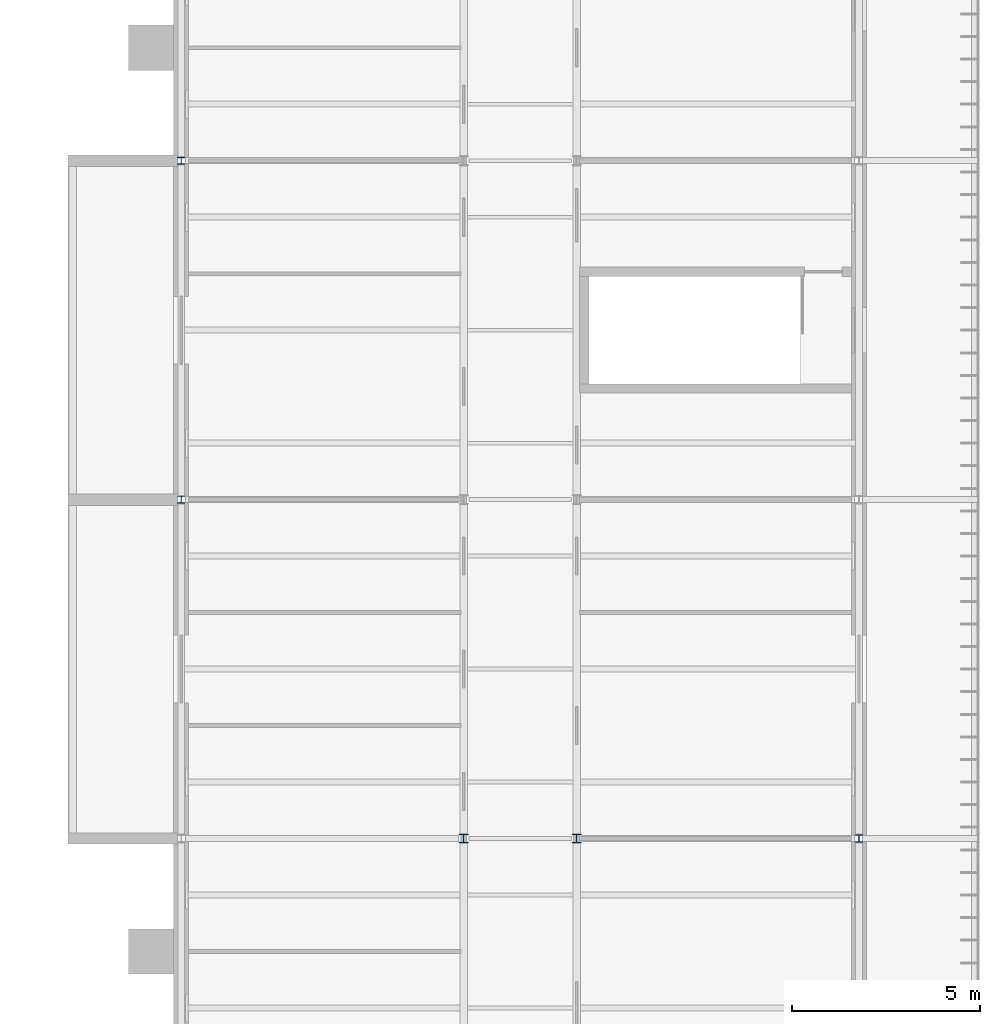
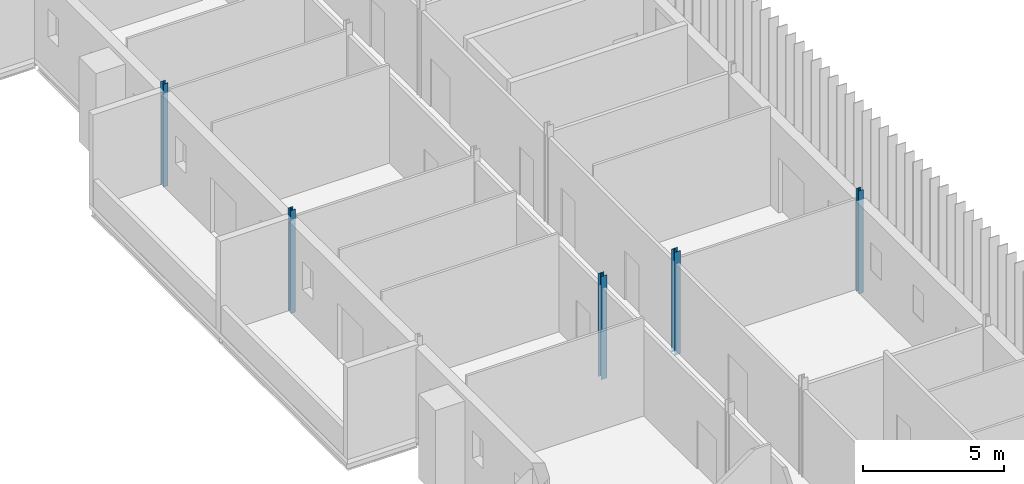
# One storey, part 18 of 131: 5 columns.
"""IFC4 building model written with IfcOpenShell, lengths in metres."""

import ifcopenshell
import ifcopenshell.guid

model = None  # the IFC model being written
_history = None  # IfcOwnerHistory: only IFC2X3 demands one
_inside = {}  # id of a spatial element -> (the spatial element, [elements in it])
_under = {}  # id of a project, library or spatial element -> (it, [spatial elements below it])
_declared = {}  # id of a project -> (the project, [libraries it declares])
_typed = {}  # id of a type object -> (the type object, [elements of that type])
_made_of = {}  # id of a material, layer set ... -> (it, [elements and type objects made of it])


def new_model(schema):
    """Start an empty IFC model of exactly this schema.

    Asked for "IFC4X3", IfcOpenShell would pick the latest addendum, in which some entities
    have other attributes; the version numbers below select the first issue.
    IFC2X3 requires an IfcOwnerHistory on every rooted entity: one is made here for all.
    """
    global model, _history
    if schema == "IFC4X3":
        model = ifcopenshell.file(schema_version=(4, 3, 0, 0))
    else:
        model = ifcopenshell.file(schema=schema)
    _inside.clear()
    _under.clear()
    _declared.clear()
    _typed.clear()
    _made_of.clear()
    _history = None
    if model.schema == "IFC2X3":
        org = make("IfcOrganization", Name="unknown")
        user = make(
            "IfcPersonAndOrganization",
            ThePerson=make("IfcPerson", FamilyName="unknown"),
            TheOrganization=org,
        )
        app = make(
            "IfcApplication",
            ApplicationDeveloper=org,
            Version="unknown",
            ApplicationFullName="unknown",
            ApplicationIdentifier="unknown",
        )
        _history = make(
            "IfcOwnerHistory",
            OwningUser=user,
            OwningApplication=app,
            ChangeAction="ADDED",
            CreationDate=0,
        )
    return model


def make(cls, **values):
    """One entity of the class cls with the attributes given. An attribute that is None is left unset."""
    return model.create_entity(
        cls, **{name: value for name, value in values.items() if value is not None}
    )


def rooted(cls, **values):
    """An entity with a GlobalId (a new one), such as an element, a storey or a relation."""
    return make(cls, GlobalId=ifcopenshell.guid.new(), OwnerHistory=_history, **values)


def si_unit(unit_type, name, prefix=None):
    """IfcSIUnit, for example si_unit("LENGTHUNIT", "METRE", prefix="MILLI")."""
    return make("IfcSIUnit", UnitType=unit_type, Prefix=prefix, Name=name)


def assignment(units):
    """IfcUnitAssignment: the units of a project."""
    return None if units is None else make("IfcUnitAssignment", Units=units)


def point(xyz):
    """IfcCartesianPoint."""
    return None if xyz is None else make("IfcCartesianPoint", Coordinates=xyz)


def direction(xyz):
    """IfcDirection."""
    return None if xyz is None else make("IfcDirection", DirectionRatios=xyz)


def frame(location, z_axis=None, x_axis=None):
    """IfcAxis2Placement3D, a coordinate frame: its origin and axes. An axis left out is left unset."""
    return make(
        "IfcAxis2Placement3D",
        Location=point(location),
        Axis=direction(z_axis),
        RefDirection=direction(x_axis),
    )


def frame_2d(location, x_axis=None):
    """IfcAxis2Placement2D, a coordinate frame in the plane: its origin and x axis."""
    return make(
        "IfcAxis2Placement2D", Location=point(location), RefDirection=direction(x_axis)
    )


def origin():
    """The frame at (0, 0, 0) with its axes left unset."""
    return frame((0.0, 0.0, 0.0))


def origin_2d():
    """The frame at (0, 0) in the plane with its x axis left unset."""
    return frame_2d((0.0, 0.0))


def place(relative_to, where):
    """IfcLocalPlacement: puts the frame where relative to a parent placement (None: the world)."""
    return make(
        "IfcLocalPlacement", PlacementRelTo=relative_to, RelativePlacement=where
    )


def context(
    kind, dimensions, precision=None, world=None, true_north=None, identifier=None
):
    """IfcGeometricRepresentationContext, for example the 3D "Model" context."""
    return make(
        "IfcGeometricRepresentationContext",
        ContextIdentifier=identifier,
        ContextType=kind,
        CoordinateSpaceDimension=dimensions,
        Precision=precision,
        WorldCoordinateSystem=world,
        TrueNorth=true_north,
    )


def subcontext(parent, identifier, kind, view, scale=None):
    """IfcGeometricRepresentationSubContext, for example "Body" below "Model"."""
    return make(
        "IfcGeometricRepresentationSubContext",
        ContextIdentifier=identifier,
        ContextType=kind,
        ParentContext=parent,
        TargetScale=scale,
        TargetView=view,
    )


def project(units=None, contexts=None):
    """IfcProject with its units and contexts."""
    return rooted(
        "IfcProject",
        Name="project",
        RepresentationContexts=contexts,
        UnitsInContext=assignment(units),
    )


def spatial(cls, under=None, at=None, **own):
    """A site, building, storey or space (cls), placed at a placement, below another one or the project."""
    s = rooted(cls, ObjectPlacement=at, **own)
    if under is not None:
        _under.setdefault(under.id(), (under, []))[1].append(s)
    return s


def profile(cls, at=None, kind="AREA", **sizes):
    """A parametric profile (cls). Its sizes go by their IFC names, for example OverallWidth=200.0."""
    return make(cls, ProfileType=kind, Position=at, **sizes)


def i_section(**sizes):
    """IfcIShapeProfileDef."""
    return profile("IfcIShapeProfileDef", **sizes)


def extrude(swept, where, along, depth):
    """IfcExtrudedAreaSolid: the profile swept, set in the frame where, extruded along a direction by depth."""
    return make(
        "IfcExtrudedAreaSolid",
        SweptArea=swept,
        Position=where,
        ExtrudedDirection=direction(along),
        Depth=depth,
    )


def shape(context_of_items, identifier, shape_type, items):
    """IfcShapeRepresentation: the items that make up one representation, for example the "Body"."""
    return make(
        "IfcShapeRepresentation",
        ContextOfItems=context_of_items,
        RepresentationIdentifier=identifier,
        RepresentationType=shape_type,
        Items=items,
    )


def material(Name=None, Category=None):
    """IfcMaterial."""
    return make("IfcMaterial", Name=Name, Category=Category)


def material_profile(
    of_material, cross_section, Name=None, Category=None, Priority=None
):
    """IfcMaterialProfile: a cross section and its material."""
    return make(
        "IfcMaterialProfile",
        Name=Name,
        Material=of_material,
        Profile=cross_section,
        Priority=Priority,
        Category=Category,
    )


def profile_set(profiles, Name=None, composite=None):
    """IfcMaterialProfileSet."""
    return make(
        "IfcMaterialProfileSet",
        Name=Name,
        MaterialProfiles=profiles,
        CompositeProfile=composite,
    )


def made_of(thing, what):
    """Note that an element or type object is made of a material, layer set ...; save() writes the relation."""
    if what is not None:
        _made_of.setdefault(what.id(), (what, []))[1].append(thing)
    return thing


def type_object(cls, material=None, **own):
    """A type object (cls), such as IfcWallType, which elements share."""
    return made_of(rooted(cls, **own), material)


def element(
    cls,
    number,
    at=None,
    inside=None,
    cuts=None,
    type_object=None,
    material=None,
    context=None,
    identifier="Body",
    shape_type=None,
    held_by="IfcProductDefinitionShape",
    body=None,
    shapes=None,
    **own,
):
    """One element of the class cls, such as IfcWall. Its Tag is "e" and its number.

    at: its placement. inside: the storey or other place that contains it. cuts: it is an
    opening in that element (IfcRelVoidsElement). A single representation is given by context,
    identifier, shape_type and body (its items); several are given by shapes. held_by: the class
    of the entity that holds the representations. save() writes the other relations.
    """
    e = rooted(cls, Tag="e%d" % number, ObjectPlacement=at, **own)
    if body is not None:
        shapes = [shape(context, identifier, shape_type, body)]
    if shapes is not None:
        e.Representation = make(held_by, Representations=shapes)
    if inside is not None:
        _inside.setdefault(inside.id(), (inside, []))[1].append(e)
    if cuts is not None:
        rooted(
            "IfcRelVoidsElement", RelatingBuildingElement=cuts, RelatedOpeningElement=e
        )
    if type_object is not None:
        _typed.setdefault(type_object.id(), (type_object, []))[1].append(e)
    return made_of(e, material)


def aggregate(whole, parts):
    """IfcRelAggregates: a whole, such as a stair, and the parts it consists of."""
    return rooted("IfcRelAggregates", RelatingObject=whole, RelatedObjects=parts)


def save(model, path):
    """Write the relations noted so far, then the file.

    IfcRelAggregates (storeys below a building ...), IfcRelContainedInSpatialStructure (elements
    in a storey), IfcRelDefinesByType, IfcRelAssociatesMaterial and IfcRelDeclares: one each for
    every whole, place, type object, material and project.
    """
    for whole, parts in _under.values():
        aggregate(whole, parts)
    for where, things in _inside.values():
        rooted(
            "IfcRelContainedInSpatialStructure",
            RelatedElements=things,
            RelatingStructure=where,
        )
    for kind, things in _typed.values():
        rooted("IfcRelDefinesByType", RelatedObjects=things, RelatingType=kind)
    for what, things in _made_of.values():
        rooted("IfcRelAssociatesMaterial", RelatedObjects=things, RelatingMaterial=what)
    for by, libraries in _declared.values():
        rooted("IfcRelDeclares", RelatingContext=by, RelatedDefinitions=libraries)
    model.write(path)


model = new_model("IFC4")

# Units and contexts
model_context = context("Model", 3, precision=1e-05, world=origin(), true_north=direction((0.0, 1.0)))
body_context = subcontext(model_context, "Body", "Model", "MODEL_VIEW")
ifc_project = project(units=[si_unit("LENGTHUNIT", "METRE"), si_unit("AREAUNIT", "SQUARE_METRE"), si_unit("VOLUMEUNIT", "CUBIC_METRE"), si_unit("PLANEANGLEUNIT", "RADIAN"), si_unit("MASSUNIT", "GRAM", prefix="KILO")], contexts=[model_context])

# Site, building, storey
site_placement = place(None, origin())
site = spatial("IfcSite", under=ifc_project, at=site_placement, CompositionType="ELEMENT")
building_placement = place(site_placement, origin())
building = spatial("IfcBuilding", under=site, at=building_placement, Name="Golden Quay Civic Hall", CompositionType="ELEMENT")
storey_placement = place(building_placement, frame((0.0, 0.0, 9.89990234375)))
storey = spatial("IfcBuildingStorey", under=building, at=storey_placement, Name="L02", CompositionType="ELEMENT", Elevation=9.89990234375)

# Columns
ifc_material_1 = material(Name="Steel S355", Category="steel")
ifc_material_profile_1 = material_profile(ifc_material_1, i_section(OverallWidth=0.199951171875, OverallDepth=0.18994140625, WebThickness=0.006591796875, FlangeThickness=0.010009765625, FilletRadius=0.01806640625, at=origin_2d()), Name="HEA 200")
ifc_profile_set_1 = profile_set([ifc_material_profile_1], Name="Steel S355")
column_type_1 = type_object("IfcColumnType", Name="Steel column HEA 200", PredefinedType="COLUMN", material=ifc_profile_set_1)
for number, where, z_axis, x_axis, name in (
    (1, (153.0, 27.0, -0.199951171875), (0.0, 0.0, 1.0), (1.0, 0.0, 0.0), "Column 153/27 L02"),
    (2, (153.0, 36.0, -0.199951171875), (0.0, 0.0, 1.0), (1.0, 0.0, 0.0), "Column 153/36 L02"),
    (3, (171.0, 18.0, -0.199951171875), (0.0, 0.0, 1.0), (1.0, 0.0, 0.0), "Column 171/18 L02"),
):
    element("IfcColumn", number, at=place(storey_placement, frame(where, z_axis=z_axis, x_axis=x_axis)), inside=storey, type_object=column_type_1, Name=name, PredefinedType="COLUMN", context=body_context, shape_type="SweptSolid", body=[
        extrude(i_section(OverallWidth=0.199951171875, OverallDepth=0.18994140625, WebThickness=0.006591796875, FlangeThickness=0.010009765625, FilletRadius=0.01806640625, at=origin_2d()), origin(), (0.0, 0.0, 1.0), 4.449951171875),
    ])
ifc_material_2 = material(Name="Steel S355", Category="steel")
ifc_material_profile_2 = material_profile(ifc_material_2, i_section(OverallWidth=0.239990234375, OverallDepth=0.22998046875, WebThickness=0.007568359375, FlangeThickness=0.011962890625, FilletRadius=0.02099609375, at=origin_2d()), Name="HEA 240")
ifc_profile_set_2 = profile_set([ifc_material_profile_2], Name="Steel S355")
column_type_2 = type_object("IfcColumnType", Name="Steel column HEA 240", PredefinedType="COLUMN", material=ifc_profile_set_2)
for number, where, z_axis, x_axis, name in (
    (4, (160.5, 18.0, -0.199951171875), (0.0, 0.0, 1.0), (1.0, 0.0, 0.0), "Column 160.5/18 L02"),
    (5, (163.5, 18.0, -0.199951171875), (0.0, 0.0, 1.0), (1.0, 0.0, 0.0), "Column 163.5/18 L02"),
):
    element("IfcColumn", number, at=place(storey_placement, frame(where, z_axis=z_axis, x_axis=x_axis)), inside=storey, type_object=column_type_2, Name=name, PredefinedType="COLUMN", context=body_context, shape_type="SweptSolid", body=[
        extrude(i_section(OverallWidth=0.239990234375, OverallDepth=0.22998046875, WebThickness=0.007568359375, FlangeThickness=0.011962890625, FilletRadius=0.02099609375, at=origin_2d()), origin(), (0.0, 0.0, 1.0), 4.449951171875),
    ])

save(model, "model.ifc")
